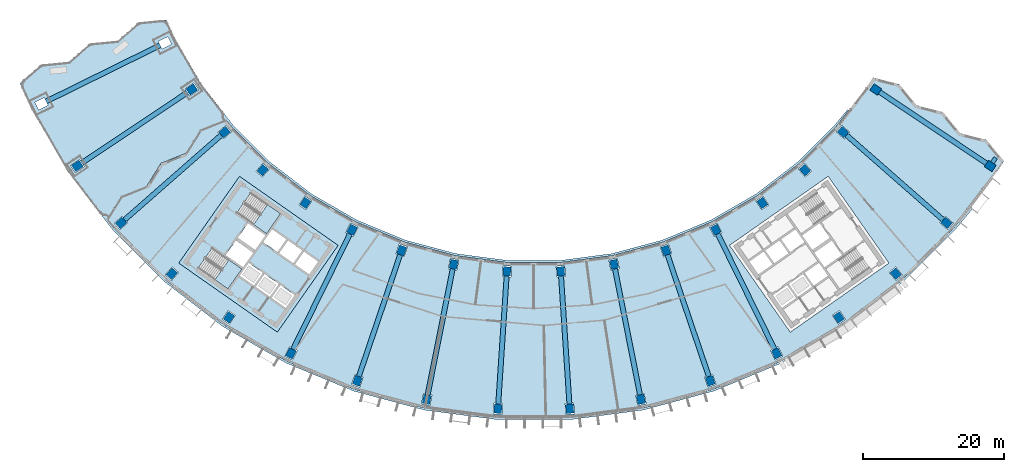
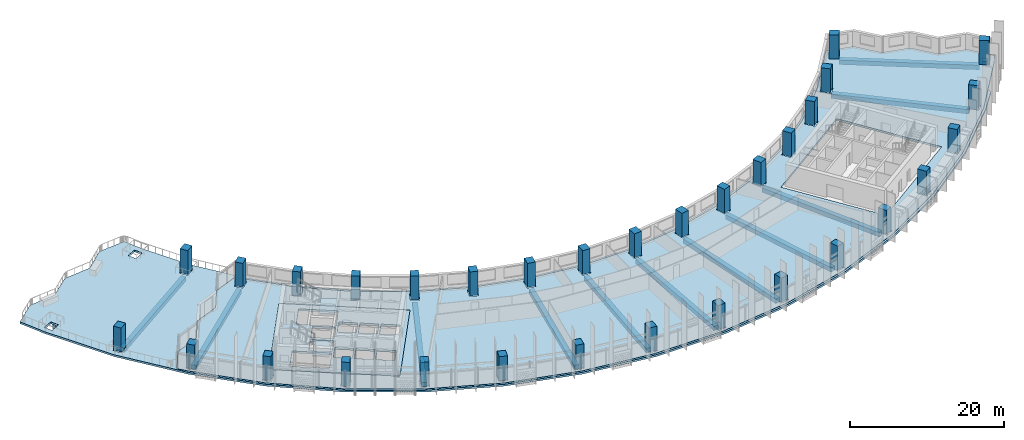
# One storey, part 1 of 31: 32 columns, 14 beams, 5 slabs, 2 elements without a shape of their own.
"""IFC4 building model written with IfcOpenShell, lengths in metres."""

from ifc_helpers import new_model, si_unit, direction, frame, origin, origin_2d, place, context, subcontext, project, spatial, polyline, rectangle, outline, extrude, material, layer, layer_set, material_profile, profile_set, type_object, element, aggregate, save


model = new_model("IFC4")

# Units and contexts
model_context = context("Model", 3, precision=1e-05, world=origin(), true_north=direction((0.0, 1.0)))
body_context = subcontext(model_context, "Body", "Model", "MODEL_VIEW")
ifc_project = project(units=[si_unit("LENGTHUNIT", "METRE"), si_unit("AREAUNIT", "SQUARE_METRE"), si_unit("VOLUMEUNIT", "CUBIC_METRE"), si_unit("PLANEANGLEUNIT", "RADIAN"), si_unit("MASSUNIT", "GRAM", prefix="KILO")], contexts=[model_context])

# Site, building, storey
site_placement = place(None, origin())
site = spatial("IfcSite", under=ifc_project, at=site_placement, CompositionType="ELEMENT")
building_placement = place(site_placement, origin())
building = spatial("IfcBuilding", under=site, at=building_placement, Name="Qamariyya Broadcast Tower", CompositionType="ELEMENT")
storey_placement = place(building_placement, frame((0.0, 0.0, 149.300048828125)))
storey = spatial("IfcBuildingStorey", under=building, at=storey_placement, Name="L34", CompositionType="ELEMENT", Elevation=149.300048828125)

# Columns
ifc_material_1 = material(Name="Concrete C60/75", Category="concrete")
ifc_material_profile_1 = material_profile(ifc_material_1, rectangle(XDim=1.10009765625, YDim=1.300048828125, at=origin_2d()))
ifc_profile_set_1 = profile_set([ifc_material_profile_1], Name="Concrete C60/75")
column_type_1 = type_object("IfcColumnType", Name="RC column 1100 x 1300 C60/75", PredefinedType="COLUMN", material=ifc_profile_set_1)
for number, where, z_axis, x_axis, name in (
    (1, (-43.794677734375, -38.406982421875, 0.0), (0.0, 0.0, 1.0), (0.6593458151, -0.751839807479, 0.0), "Column C8 L34 B-R04"),
    (2, (-58.45556640625, -51.26416015625, 0.0), (0.0, 0.0, 1.0), (0.6593458151, -0.751839807479, 0.0), "Column C8 L34 C-R04"),
    (3, (-38.406982421875, -43.794677734375, 0.0), (0.0, 0.0, 1.0), (0.751839807479, -0.6593458151, 0.0), "Column C8 L34 B-R05"),
    (4, (-51.26416015625, -58.45556640625, 0.0), (0.0, 0.0, 1.0), (0.751839807479, -0.6593458151, 0.0), "Column C8 L34 C-R05"),
    (5, (-32.362060546875, -48.43310546875, 0.0), (0.0, 0.0, 1.0), (0.831469612303, -0.55557023302, 0.0), "Column C8 L34 B-R06"),
    (6, (-43.195556640625, -64.646728515625, 0.0), (0.0, 0.0, 1.0), (0.831469612303, -0.55557023302, 0.0), "Column C8 L34 C-R06"),
    (7, (-25.763427734375, -52.242919921875, 0.0), (0.0, 0.0, 1.0), (0.896872741533, -0.442288690219, 0.0), "Column C8 L34 B-R07"),
    (8, (-34.387939453125, -69.73193359375, 0.0), (0.0, 0.0, 1.0), (0.896872741533, -0.442288690219, 0.0), "Column C8 L34 C-R07"),
    (9, (-18.723876953125, -55.15869140625, 0.0), (0.0, 0.0, 1.0), (0.946930129495, -0.321439465303, 0.0), "Column C8 L34 B-R08"),
    (10, (-24.991943359375, -73.623779296875, 0.0), (0.0, 0.0, 1.0), (0.946930129495, -0.321439465303, 0.0), "Column C8 L34 C-R08"),
    (11, (-11.364013671875, -57.130859375, 0.0), (0.0, 0.0, 1.0), (0.980785280403, -0.195090322016, 0.0), "Column C8 L34 B-R09"),
    (12, (-15.168212890625, -76.256103515625, 0.0), (0.0, 0.0, 1.0), (0.980785280403, -0.195090322016, 0.0), "Column C8 L34 C-R09"),
    (13, (-3.809814453125, -58.125244140625, 0.0), (0.0, 0.0, 1.0), (0.997858923239, -0.06540312923, 0.0), "Column C8 L34 B-R10"),
    (14, (-5.085205078125, -77.58349609375, 0.0), (0.0, 0.0, 1.0), (0.997858923239, -0.06540312923, 0.0), "Column C8 L34 C-R10"),
    (15, (3.809814453125, -58.125244140625, 0.0), (0.0, 0.0, 1.0), (0.997858923239, 0.06540312923, 0.0), "Column C8 L34 B-R11"),
    (16, (5.085205078125, -77.58349609375, 0.0), (0.0, 0.0, 1.0), (0.997858923239, 0.06540312923, 0.0), "Column C8 L34 C-R11"),
    (17, (11.364013671875, -57.130859375, 0.0), (0.0, 0.0, 1.0), (0.980785280403, 0.195090322016, 0.0), "Column C8 L34 B-R12"),
    (18, (15.168212890625, -76.256103515625, 0.0), (0.0, 0.0, 1.0), (0.980785280403, 0.195090322016, 0.0), "Column C8 L34 C-R12"),
    (19, (18.723876953125, -55.15869140625, 0.0), (0.0, 0.0, 1.0), (0.946930129495, 0.321439465303, 0.0), "Column C8 L34 B-R13"),
    (20, (24.991943359375, -73.623779296875, 0.0), (0.0, 0.0, 1.0), (0.946930129495, 0.321439465303, 0.0), "Column C8 L34 C-R13"),
    (21, (25.763427734375, -52.242919921875, 0.0), (0.0, 0.0, 1.0), (0.896872741533, 0.442288690219, 0.0), "Column C8 L34 B-R14"),
    (22, (34.387939453125, -69.73193359375, 0.0), (0.0, 0.0, 1.0), (0.896872741533, 0.442288690219, 0.0), "Column C8 L34 C-R14"),
    (23, (32.362060546875, -48.43310546875, 0.0), (0.0, 0.0, 1.0), (0.831469612303, 0.55557023302, 0.0), "Column C8 L34 B-R15"),
    (24, (43.195556640625, -64.646728515625, 0.0), (0.0, 0.0, 1.0), (0.831469612303, 0.55557023302, 0.0), "Column C8 L34 C-R15"),
    (25, (38.406982421875, -43.794677734375, 0.0), (0.0, 0.0, 1.0), (0.751839807479, 0.6593458151, 0.0), "Column C8 L34 B-R16"),
    (26, (51.26416015625, -58.45556640625, 0.0), (0.0, 0.0, 1.0), (0.751839807479, 0.6593458151, 0.0), "Column C8 L34 C-R16"),
    (27, (43.794677734375, -38.406982421875, 0.0), (0.0, 0.0, 1.0), (0.6593458151, 0.751839807479, 0.0), "Column C8 L34 B-R17"),
    (28, (58.45556640625, -51.26416015625, 0.0), (0.0, 0.0, 1.0), (0.6593458151, 0.751839807479, 0.0), "Column C8 L34 C-R17"),
    (29, (-48.43310546875, -32.362060546875, 0.0), (0.0, 0.0, 1.0), (0.55557023302, -0.831469612303, 0.0), "Column C8 L34 B-R03"),
    (30, (-64.646728515625, -43.195556640625, 0.0), (0.0, 0.0, 1.0), (0.55557023302, -0.831469612303, 0.0), "Column C8 L34 C-R03"),
):
    element("IfcColumn", number, at=place(storey_placement, frame(where, z_axis=z_axis, x_axis=x_axis)), inside=storey, type_object=column_type_1, Name=name, PredefinedType="COLUMN", context=body_context, shape_type="SweptSolid", body=[
        extrude(rectangle(XDim=1.10009765625, YDim=1.300048828125, at=origin_2d()), origin(), (0.0, 0.0, 1.0), 3.800048828125),
    ])
ifc_material_profile_2 = material_profile(ifc_material_1, rectangle(XDim=1.10009765625, YDim=1.300048828125, at=origin_2d()))
ifc_profile_set_2 = profile_set([ifc_material_profile_2], Name="Concrete C60/75")
column_type_2 = type_object("IfcColumnType", Name="RC column 1100 x 1300 C60/75 on transfer truss", PredefinedType="COLUMN", material=ifc_profile_set_2)
for number, where, z_axis, x_axis, name in (
    (31, (48.43310546875, -32.362060546875, -0.300048828125), (0.0, 0.0, 1.0), (0.55557023302, 0.831469612303, 0.0), "Column C9 L34 B-R18"),
    (32, (64.646728515625, -43.195556640625, -0.300048828125), (0.0, 0.0, 1.0), (0.55557023302, 0.831469612303, 0.0), "Column C9 L34 C-R18"),
):
    element("IfcColumn", number, at=place(storey_placement, frame(where, z_axis=z_axis, x_axis=x_axis)), inside=storey, type_object=column_type_2, Name=name, PredefinedType="COLUMN", context=body_context, shape_type="SweptSolid", body=[
        extrude(rectangle(XDim=1.10009765625, YDim=1.300048828125, at=origin_2d()), origin(), (0.0, 0.0, 1.0), 4.10009765625),
    ])

# Beams
ifc_material_2 = material(Name="Concrete C40/50", Category="concrete")
ifc_material_profile_3 = material_profile(ifc_material_2, rectangle(XDim=0.60009765625, YDim=0.699951171875, at=origin_2d()))
ifc_profile_set_3 = profile_set([ifc_material_profile_3], Name="Concrete C40/50")
beam_type_1 = type_object("IfcBeamType", Name="RC horn beam 600 x 700 C40/50", PredefinedType="BEAM", material=ifc_profile_set_3)
beam_1_placement = place(storey_placement, frame((64.947509765625, -42.735107421875, -0.650146484375), z_axis=(0.546717218066, 0.83731731349, 0.0), x_axis=(-0.83731731349, 0.546717218066, 0.0)))
element("IfcBeam", 33, at=beam_1_placement, inside=storey, type_object=beam_type_1, Name="Horn beam B19 L34 E C-R18", PredefinedType="BEAM", context=body_context, shape_type="SweptSolid", body=[
    extrude(rectangle(XDim=0.60009765625, YDim=0.699951171875, at=origin_2d()), origin(), (0.0, 0.0, 1.0), 0.828369140625),
])
ifc_material_profile_4 = material_profile(ifc_material_2, rectangle(XDim=0.699951171875, YDim=0.699951171875, at=origin_2d()))
ifc_profile_set_4 = profile_set([ifc_material_profile_4], Name="Concrete C40/50")
beam_type_2 = type_object("IfcBeamType", Name="RC radial beam 700 x 700 C40/50", PredefinedType="BEAM", material=ifc_profile_set_4)
beam_2_placement = place(storey_placement, frame((-52.91552734375, -26.094970703125, -0.650146484375), z_axis=(-0.896871386501, -0.442291437941, 0.0), x_axis=(0.442291437941, -0.896871386501, 0.0)))
element("IfcBeam", 34, at=beam_2_placement, inside=storey, type_object=beam_type_2, Name="Radial beam B18 L34 R02 B-C", PredefinedType="BEAM", context=body_context, shape_type="SweptSolid", body=[
    extrude(rectangle(XDim=0.699951171875, YDim=0.699951171875, at=origin_2d()), origin(), (0.0, 0.0, 1.0), 17.999755859375),
])
beam_3_placement = place(storey_placement, frame((-49.056640625, -32.778564453125, -0.650146484375), z_axis=(-0.831471836778, -0.555566903843, 0.0), x_axis=(0.555566903843, -0.831471836778, 0.0)))
element("IfcBeam", 35, at=beam_3_placement, inside=storey, type_object=beam_type_2, Name="Radial beam B18 L34 R03 B-C", PredefinedType="BEAM", context=body_context, shape_type="SweptSolid", body=[
    extrude(rectangle(XDim=0.699951171875, YDim=0.699951171875, at=origin_2d()), origin(), (0.0, 0.0, 1.0), 18.0),
])
beam_4_placement = place(storey_placement, frame((-44.283447265625, -38.83544921875, -0.650146484375), z_axis=(-0.751839141307, -0.659346574723, 0.0), x_axis=(0.659346574723, -0.751839141307, 0.0)))
element("IfcBeam", 36, at=beam_4_placement, inside=storey, type_object=beam_type_2, Name="Radial beam B18 L34 R04 B-C", PredefinedType="BEAM", context=body_context, shape_type="SweptSolid", body=[
    extrude(rectangle(XDim=0.699951171875, YDim=0.699951171875, at=origin_2d()), origin(), (0.0, 0.0, 1.0), 18.199951171875),
])
beam_5_placement = place(storey_placement, frame((-26.05078125, -52.82568359375, -0.650146484375), z_axis=(-0.44228110273, -0.896876483228, 0.0), x_axis=(0.896876483228, -0.44228110273, 0.0)))
element("IfcBeam", 37, at=beam_5_placement, inside=storey, type_object=beam_type_2, Name="Radial beam B18 L34 R07 B-C", PredefinedType="BEAM", context=body_context, shape_type="SweptSolid", body=[
    extrude(rectangle(XDim=0.699951171875, YDim=0.699951171875, at=origin_2d()), origin(), (0.0, 0.0, 1.0), 18.2001953125),
])
beam_6_placement = place(storey_placement, frame((-18.932861328125, -55.774169921875, -0.650146484375), z_axis=(-0.321434466477, -0.946931826353, 0.0), x_axis=(0.946931826353, -0.321434466477, 0.0)))
element("IfcBeam", 38, at=beam_6_placement, inside=storey, type_object=beam_type_2, Name="Radial beam B18 L34 R08 B-C", PredefinedType="BEAM", context=body_context, shape_type="SweptSolid", body=[
    extrude(rectangle(XDim=0.699951171875, YDim=0.699951171875, at=origin_2d()), origin(), (0.0, 0.0, 1.0), 18.199951171875),
])
beam_7_placement = place(storey_placement, frame((-11.49072265625, -57.768310546875, -0.650146484375), z_axis=(-0.195097061093, -0.980783939893, 0.0), x_axis=(0.980783939893, -0.195097061093, 0.0)))
element("IfcBeam", 39, at=beam_7_placement, inside=storey, type_object=beam_type_2, Name="Radial beam B18 L34 R09 B-C", PredefinedType="BEAM", context=body_context, shape_type="SweptSolid", body=[
    extrude(rectangle(XDim=0.699951171875, YDim=0.699951171875, at=origin_2d()), origin(), (0.0, 0.0, 1.0), 18.2001953125),
])
for number, where, z_axis, x_axis, name in (
    (40, (-3.852294921875, -58.77392578125, -0.650146484375), (-0.065395361188, -0.997859432353, 0.0), (0.997859432353, -0.065395361188, 0.0), "Radial beam B18 L34 R10 B-C"),
    (41, (3.852294921875, -58.77392578125, -0.650146484375), (0.065395361188, -0.997859432353, 0.0), (0.997859432353, 0.065395361188, 0.0), "Radial beam B18 L34 R11 B-C"),
):
    element("IfcBeam", number, at=place(storey_placement, frame(where, z_axis=z_axis, x_axis=x_axis)), inside=storey, type_object=beam_type_2, Name=name, PredefinedType="BEAM", context=body_context, shape_type="SweptSolid", body=[
        extrude(rectangle(XDim=0.699951171875, YDim=0.699951171875, at=origin_2d()), origin(), (0.0, 0.0, 1.0), 18.199951171875),
    ])
beam_8_placement = place(storey_placement, frame((11.49072265625, -57.768310546875, -0.650146484375), z_axis=(0.195097061093, -0.980783939893, 0.0), x_axis=(0.980783939893, 0.195097061093, 0.0)))
element("IfcBeam", 42, at=beam_8_placement, inside=storey, type_object=beam_type_2, Name="Radial beam B18 L34 R12 B-C", PredefinedType="BEAM", context=body_context, shape_type="SweptSolid", body=[
    extrude(rectangle(XDim=0.699951171875, YDim=0.699951171875, at=origin_2d()), origin(), (0.0, 0.0, 1.0), 18.2001953125),
])
beam_9_placement = place(storey_placement, frame((18.932861328125, -55.774169921875, -0.650146484375), z_axis=(0.321434466477, -0.946931826353, 0.0), x_axis=(0.946931826353, 0.321434466477, 0.0)))
element("IfcBeam", 43, at=beam_9_placement, inside=storey, type_object=beam_type_2, Name="Radial beam B18 L34 R13 B-C", PredefinedType="BEAM", context=body_context, shape_type="SweptSolid", body=[
    extrude(rectangle(XDim=0.699951171875, YDim=0.699951171875, at=origin_2d()), origin(), (0.0, 0.0, 1.0), 18.199951171875),
])
beam_10_placement = place(storey_placement, frame((26.05078125, -52.82568359375, -0.650146484375), z_axis=(0.44228110273, -0.896876483228, 0.0), x_axis=(0.896876483228, 0.44228110273, 0.0)))
element("IfcBeam", 44, at=beam_10_placement, inside=storey, type_object=beam_type_2, Name="Radial beam B18 L34 R14 B-C", PredefinedType="BEAM", context=body_context, shape_type="SweptSolid", body=[
    extrude(rectangle(XDim=0.699951171875, YDim=0.699951171875, at=origin_2d()), origin(), (0.0, 0.0, 1.0), 18.2001953125),
])
beam_11_placement = place(storey_placement, frame((44.283447265625, -38.83544921875, -0.650146484375), z_axis=(0.751839141307, -0.659346574723, 0.0), x_axis=(0.659346574723, 0.751839141307, 0.0)))
element("IfcBeam", 45, at=beam_11_placement, inside=storey, type_object=beam_type_2, Name="Radial beam B18 L34 R17 B-C", PredefinedType="BEAM", context=body_context, shape_type="SweptSolid", body=[
    extrude(rectangle(XDim=0.699951171875, YDim=0.699951171875, at=origin_2d()), origin(), (0.0, 0.0, 1.0), 18.199951171875),
])
beam_12_placement = place(storey_placement, frame((48.9736328125, -32.72314453125, -0.650146484375), z_axis=(0.831467855631, -0.555572862056, 0.0), x_axis=(0.555572862056, 0.831467855631, 0.0)))
element("IfcBeam", 46, at=beam_12_placement, inside=storey, type_object=beam_type_2, Name="Radial beam B18 L34 R18 B-C", PredefinedType="BEAM", context=body_context, shape_type="SweptSolid", body=[
    extrude(rectangle(XDim=0.699951171875, YDim=0.699951171875, at=origin_2d()), origin(), (0.0, 0.0, 1.0), 18.19970703125),
])

# Slabs
ifc_layer_1 = layer(ifc_material_2, 0.300048828125)
ifc_layer_set_1 = layer_set([ifc_layer_1], Name="Core floor slab 300 mm Concrete C40/50")
slab_type_1 = type_object("IfcSlabType", Name="Core floor slab 300 mm Concrete C40/50", PredefinedType="FLOOR", material=ifc_layer_set_1)
slab_1_placement = place(storey_placement, frame((0.0, 0.0, -0.300048828125)))
element("IfcSlab", 47, at=slab_1_placement, inside=storey, type_object=slab_type_1, Name="k-W-L34-slab", PredefinedType="FLOOR", context=body_context, shape_type="SweptSolid", body=[
    extrude(outline(polyline([(-50.286376953125, -56.95751953125), (-36.32373046875, -66.734375), (-27.719970703125, -54.447021484375), (-41.6826171875, -44.67041015625), (-50.286376953125, -56.95751953125)]), holes=[polyline([(-31.80859375, -58.542724609375), (-33.8154296875, -57.137451171875), (-32.5537109375, -55.335205078125), (-30.546630859375, -56.740478515625), (-31.80859375, -58.542724609375)]), polyline([(-34.061279296875, -56.96533203125), (-36.068115234375, -55.56005859375), (-34.806396484375, -53.758056640625), (-32.79931640625, -55.163330078125), (-34.061279296875, -56.96533203125)]), polyline([(-36.31396484375, -55.387939453125), (-38.32080078125, -53.982666015625), (-37.058837890625, -52.1806640625), (-35.052001953125, -53.5859375), (-36.31396484375, -55.387939453125)]), polyline([(-33.87353515625, -61.49169921875), (-35.88037109375, -60.08642578125), (-37.142333984375, -61.888427734375), (-35.13525390625, -63.293701171875), (-33.87353515625, -61.49169921875)]), polyline([(-36.126220703125, -59.914306640625), (-38.133056640625, -58.509033203125), (-39.394775390625, -60.311279296875), (-37.387939453125, -61.716552734375), (-36.126220703125, -59.914306640625)]), polyline([(-38.378662109375, -58.3369140625), (-40.3857421875, -56.931640625), (-41.6474609375, -58.73388671875), (-39.640625, -60.13916015625), (-38.378662109375, -58.3369140625)]), polyline([(-39.742431640625, -55.489990234375), (-42.199951171875, -53.769287109375), (-43.6337890625, -55.817138671875), (-41.17626953125, -57.537841796875), (-39.742431640625, -55.489990234375)]), polyline([(-39.45556640625, -55.080322265625), (-41.9130859375, -53.359619140625), (-40.47900390625, -51.311767578125), (-38.021728515625, -53.032470703125), (-39.45556640625, -55.080322265625)]), polyline([(-42.06103515625, -49.837890625), (-37.849609375, -52.78662109375), (-35.870849609375, -49.960693359375), (-40.082275390625, -47.01171875), (-42.06103515625, -49.837890625)]), polyline([(-47.538818359375, -57.66064453125), (-43.3271484375, -60.609619140625), (-41.348388671875, -57.783447265625), (-45.559814453125, -54.834716796875), (-47.538818359375, -57.66064453125)])]), origin(), (0.0, 0.0, 1.0), 0.300048828125),
])
ifc_layer_2 = layer(ifc_material_2, 0.300048828125)
ifc_layer_set_2 = layer_set([ifc_layer_2], Name="Post-tensioned floor slab 300 C40/50")
slab_type_2 = type_object("IfcSlabType", Name="Post-tensioned floor slab 300 C40/50", PredefinedType="FLOOR", material=ifc_layer_set_2)
slab_2_placement = place(storey_placement, frame((0.0, 0.0, -0.300048828125)))
element("IfcSlab", 48, at=slab_2_placement, inside=storey, type_object=slab_type_2, Name="Floor slab S4 L34", PredefinedType="FLOOR", context=body_context, shape_type="SweptSolid", body=[
    extrude(outline(polyline([(-58.43115234375, -47.549072265625), (-60.47314453125, -50.8330078125), (-59.395263671875, -52.08837890625), (-52.08837890625, -59.395263671875), (-43.89013671875, -65.68603515625), (-34.94091796875, -70.85302734375), (-25.393798828125, -74.807373046875), (-15.412109375, -77.48193359375), (-5.166748046875, -78.830810546875), (5.166748046875, -78.830810546875), (15.412109375, -77.48193359375), (25.393798828125, -74.807373046875), (34.94091796875, -70.85302734375), (43.89013671875, -65.68603515625), (52.08837890625, -59.395263671875), (59.395263671875, -52.08837890625), (65.68603515625, -43.89013671875), (66.5908203125, -42.5048828125), (64.1376953125, -39.515380859375), (60.409423828125, -38.55908203125), (57.955322265625, -35.5693359375), (54.22802734375, -34.613525390625), (51.77294921875, -31.623046875), (48.046630859375, -30.66796875), (47.393798828125, -31.66748046875), (42.85498046875, -37.582763671875), (37.582763671875, -42.85498046875), (31.66748046875, -47.393798828125), (25.21044921875, -51.121826171875), (18.322021484375, -53.97509765625), (11.1201171875, -55.90478515625), (3.72802734375, -56.8779296875), (-3.72802734375, -56.8779296875), (-11.1201171875, -55.90478515625), (-18.322021484375, -53.97509765625), (-25.21044921875, -51.121826171875), (-31.66748046875, -47.393798828125), (-37.582763671875, -42.85498046875), (-42.85498046875, -37.582763671875), (-43.632568359375, -36.677001953125), (-47.202392578125, -38.110107421875), (-49.24609375, -41.395751953125), (-52.81689453125, -42.82958984375), (-54.859619140625, -46.1142578125), (-58.43115234375, -47.549072265625)]), holes=[polyline([(-5.73291015625, -78.292724609375), (-5.634765625, -76.7958984375), (-4.437255859375, -76.874267578125), (-4.535400390625, -78.37109375), (-5.73291015625, -78.292724609375)]), polyline([(-15.903076171875, -76.87451171875), (-15.6103515625, -75.4033203125), (-14.43359375, -75.637451171875), (-14.72607421875, -77.108642578125), (-15.903076171875, -76.87451171875)]), polyline([(-25.80126953125, -74.14111328125), (-25.319091796875, -72.720703125), (-24.1826171875, -73.1064453125), (-24.664794921875, -74.52685546875), (-25.80126953125, -74.14111328125)]), polyline([(-35.2578125, -70.13916015625), (-34.59423828125, -68.7939453125), (-33.51806640625, -69.324462890625), (-34.181640625, -70.669921875), (-35.2578125, -70.13916015625)]), polyline([(-44.111083984375, -64.93701171875), (-43.27783203125, -63.689697265625), (-42.280029296875, -64.3564453125), (-43.11328125, -65.603759765625), (-44.111083984375, -64.93701171875)]), polyline([(-52.209716796875, -58.623779296875), (-51.220703125, -57.49609375), (-50.318603515625, -58.287353515625), (-51.3076171875, -59.4150390625), (-52.209716796875, -58.623779296875)]), polyline([(-12.098876953125, -57.749267578125), (-11.80615234375, -56.278076171875), (-10.629150390625, -56.51220703125), (-10.921875, -57.9833984375), (-12.098876953125, -57.749267578125)]), polyline([(-41.6826171875, -44.67041015625), (-27.719970703125, -54.447021484375), (-36.32373046875, -66.734375), (-50.286376953125, -56.95751953125), (-41.6826171875, -44.67041015625)]), polyline([(-19.051025390625, -54.255615234375), (-17.91455078125, -54.641357421875), (-18.396728515625, -56.061767578125), (-19.533203125, -55.676025390625), (-19.051025390625, -54.255615234375)]), polyline([(-26.633056640625, -52.650146484375), (-25.9697265625, -51.3046875), (-24.8935546875, -51.83544921875), (-25.556884765625, -53.180908203125), (-26.633056640625, -52.650146484375)]), polyline([(-59.4150390625, -51.3076171875), (-58.287353515625, -50.318603515625), (-57.49609375, -51.220703125), (-58.623779296875, -52.209716796875), (-59.4150390625, -51.3076171875)]), polyline([(-33.277587890625, -48.723388671875), (-32.444091796875, -47.47607421875), (-31.4462890625, -48.142822265625), (-32.27978515625, -49.39013671875), (-33.277587890625, -48.723388671875)]), polyline([(-39.3525390625, -43.962890625), (-38.363525390625, -42.835205078125), (-37.461181640625, -43.62646484375), (-38.4501953125, -44.754150390625), (-39.3525390625, -43.962890625)]), polyline([(-44.754150390625, -38.4501953125), (-43.62646484375, -37.461181640625), (-42.835205078125, -38.363525390625), (-43.962890625, -39.3525390625), (-44.754150390625, -38.4501953125)]), polyline([(4.535400390625, -78.37109375), (4.437255859375, -76.874267578125), (5.634765625, -76.7958984375), (5.73291015625, -78.292724609375), (4.535400390625, -78.37109375)]), polyline([(14.72607421875, -77.108642578125), (14.43359375, -75.637451171875), (15.6103515625, -75.4033203125), (15.903076171875, -76.87451171875), (14.72607421875, -77.108642578125)]), polyline([(24.664794921875, -74.52685546875), (24.1826171875, -73.1064453125), (25.319091796875, -72.720703125), (25.80126953125, -74.14111328125), (24.664794921875, -74.52685546875)]), polyline([(34.181640625, -70.669921875), (33.51806640625, -69.324462890625), (34.59423828125, -68.7939453125), (35.2578125, -70.13916015625), (34.181640625, -70.669921875)]), polyline([(43.11328125, -65.603759765625), (42.280029296875, -64.3564453125), (43.27783203125, -63.689697265625), (44.111083984375, -64.93701171875), (43.11328125, -65.603759765625)]), polyline([(51.3076171875, -59.4150390625), (50.318603515625, -58.287353515625), (51.220703125, -57.49609375), (52.209716796875, -58.623779296875), (51.3076171875, -59.4150390625)]), polyline([(3.260009765625, -58.912841796875), (3.161865234375, -57.416015625), (4.359375, -57.337646484375), (4.45751953125, -58.83447265625), (3.260009765625, -58.912841796875)]), polyline([(-4.359375, -57.337646484375), (-3.161865234375, -57.416015625), (-3.260009765625, -58.912841796875), (-4.45751953125, -58.83447265625), (-4.359375, -57.337646484375)]), polyline([(10.629150390625, -56.51220703125), (11.80615234375, -56.278076171875), (12.098876953125, -57.749267578125), (10.921875, -57.9833984375), (10.629150390625, -56.51220703125)]), polyline([(36.32373046875, -66.734375), (27.719970703125, -54.447021484375), (41.6826171875, -44.67041015625), (50.286376953125, -56.95751953125), (36.32373046875, -66.734375)]), polyline([(18.396728515625, -56.061767578125), (17.91455078125, -54.641357421875), (19.051025390625, -54.255615234375), (19.533203125, -55.676025390625), (18.396728515625, -56.061767578125)]), polyline([(25.556884765625, -53.180908203125), (24.8935546875, -51.83544921875), (25.9697265625, -51.3046875), (26.633056640625, -52.650146484375), (25.556884765625, -53.180908203125)]), polyline([(58.623779296875, -52.209716796875), (57.49609375, -51.220703125), (58.287353515625, -50.318603515625), (59.4150390625, -51.3076171875), (58.623779296875, -52.209716796875)]), polyline([(32.27978515625, -49.39013671875), (31.4462890625, -48.142822265625), (32.444091796875, -47.47607421875), (33.277587890625, -48.723388671875), (32.27978515625, -49.39013671875)]), polyline([(38.4501953125, -44.754150390625), (37.461181640625, -43.62646484375), (38.363525390625, -42.835205078125), (39.3525390625, -43.962890625), (38.4501953125, -44.754150390625)]), polyline([(64.881591796875, -44.013916015625), (63.80078125, -43.291748046875), (64.411865234375, -42.377197265625), (65.49267578125, -43.099365234375), (64.881591796875, -44.013916015625)]), polyline([(42.835205078125, -38.363525390625), (43.62646484375, -37.461181640625), (44.754150390625, -38.4501953125), (43.962890625, -39.3525390625), (42.835205078125, -38.363525390625)]), polyline([(47.587158203125, -32.458251953125), (48.1982421875, -31.54345703125), (49.279052734375, -32.265869140625), (48.66796875, -33.180419921875), (47.587158203125, -32.458251953125)])]), origin(), (0.0, 0.0, 1.0), 0.300048828125),
])
ifc_layer_3 = layer(ifc_material_2, 0.300048828125)
ifc_layer_set_3 = layer_set([ifc_layer_3], Name="Roof slab 300 C40/50")
slab_type_3 = type_object("IfcSlabType", Name="Roof slab 300 C40/50", PredefinedType="ROOF", material=ifc_layer_set_3)
slab_3_placement = place(storey_placement, frame((0.0, 0.0, -0.300048828125)))
element("IfcSlab", 49, at=slab_3_placement, inside=storey, type_object=slab_type_3, Name="Terrace slab S6 L34", PredefinedType="ROOF", context=body_context, shape_type="SweptSolid", body=[
    extrude(outline(polyline([(52.2861328125, -59.620849609375), (59.620849609375, -52.2861328125), (62.140869140625, -49.2646484375), (61.870361328125, -48.86279296875), (59.395263671875, -52.08837890625), (52.08837890625, -59.395263671875), (43.89013671875, -65.68603515625), (34.94091796875, -70.85302734375), (25.393798828125, -74.807373046875), (15.412109375, -77.48193359375), (5.166748046875, -78.830810546875), (-5.166748046875, -78.830810546875), (-15.412109375, -77.48193359375), (-25.393798828125, -74.807373046875), (-34.94091796875, -70.85302734375), (-43.89013671875, -65.68603515625), (-52.08837890625, -59.395263671875), (-59.395263671875, -52.08837890625), (-60.47314453125, -50.8330078125), (-58.43115234375, -47.549072265625), (-54.859619140625, -46.1142578125), (-52.81689453125, -42.82958984375), (-49.24609375, -41.395751953125), (-47.202392578125, -38.110107421875), (-43.632568359375, -36.677001953125), (-42.85498046875, -37.582763671875), (-37.582763671875, -42.85498046875), (-31.66748046875, -47.393798828125), (-25.21044921875, -51.121826171875), (-18.322021484375, -53.97509765625), (-11.1201171875, -55.90478515625), (-3.72802734375, -56.8779296875), (3.72802734375, -56.8779296875), (11.1201171875, -55.90478515625), (18.322021484375, -53.97509765625), (25.21044921875, -51.121826171875), (31.66748046875, -47.393798828125), (37.582763671875, -42.85498046875), (42.85498046875, -37.582763671875), (44.612060546875, -35.292724609375), (44.43115234375, -35.224365234375), (42.62939453125, -37.385009765625), (37.385009765625, -42.62939453125), (31.500732421875, -47.144287109375), (25.077880859375, -50.852783203125), (18.2255859375, -53.69091796875), (11.0615234375, -55.610595703125), (3.708251953125, -56.57861328125), (-3.708251953125, -56.57861328125), (-11.0615234375, -55.610595703125), (-18.2255859375, -53.69091796875), (-25.077880859375, -50.852783203125), (-31.500732421875, -47.144287109375), (-37.385009765625, -42.62939453125), (-42.62939453125, -37.385009765625), (-47.144287109375, -31.500732421875), (-50.852783203125, -25.077880859375), (-52.033935546875, -22.524658203125), (-55.956298828125, -22.9150390625), (-58.947265625, -25.517333984375), (-62.87109375, -25.908203125), (-65.86083984375, -28.510009765625), (-69.785400390625, -28.9013671875), (-72.774169921875, -31.502685546875), (-71.1220703125, -35.073486328125), (-65.935546875, -44.056640625), (-59.620849609375, -52.2861328125), (-52.2861328125, -59.620849609375), (-44.056640625, -65.935546875), (-35.073486328125, -71.1220703125), (-25.490234375, -75.091552734375), (-15.470703125, -77.7763671875), (-5.1865234375, -79.130126953125), (5.1865234375, -79.130126953125), (15.470703125, -77.7763671875), (25.490234375, -75.091552734375), (35.073486328125, -71.1220703125), (44.056640625, -65.935546875), (52.2861328125, -59.620849609375)]), holes=[polyline([(-65.603759765625, -43.11328125), (-64.3564453125, -42.280029296875), (-63.689697265625, -43.27783203125), (-64.93701171875, -44.111083984375), (-65.603759765625, -43.11328125)]), polyline([(-70.669921875, -34.181640625), (-69.324462890625, -33.51806640625), (-68.7939453125, -34.59423828125), (-70.13916015625, -35.2578125), (-70.669921875, -34.181640625)]), polyline([(-49.39013671875, -32.27978515625), (-48.142822265625, -31.4462890625), (-47.47607421875, -32.444091796875), (-48.723388671875, -33.277587890625), (-49.39013671875, -32.27978515625)]), polyline([(-53.180908203125, -25.556884765625), (-51.83544921875, -24.8935546875), (-51.3046875, -25.9697265625), (-52.650146484375, -26.633056640625), (-53.180908203125, -25.556884765625)])]), origin(), (0.0, 0.0, 1.0), 0.300048828125),
])

# Stair, slab
ifc_material_3 = material(Name="Concrete C50/60", Category="concrete")
stair_type = type_object("IfcStairType", Name="Exit stair 22 risers of 173 mm", PredefinedType="HALF_TURN_STAIR", material=ifc_material_3)
stair_1_placement = place(storey_placement, origin())
stair_1 = element("IfcStair", 50, at=stair_1_placement, inside=storey, type_object=stair_type, Name="L34 Stair W2", PredefinedType="HALF_TURN_STAIR")
ifc_layer_4 = layer(ifc_material_3, 0.199951171875)
ifc_layer_set_4 = layer_set([ifc_layer_4], Name="Stair landing")
slab_type_4 = type_object("IfcSlabType", Name="Stair landing", PredefinedType="LANDING", material=ifc_layer_set_4)
slab_4_placement = place(storey_placement, frame((0.0, 0.0, 1.699951171875)))
slab_4 = element("IfcSlab", 51, at=slab_4_placement, type_object=slab_type_4, Name="ST-W2 landing 1", PredefinedType="LANDING", context=body_context, shape_type="SweptSolid", body=[
    extrude(outline(polyline([(-39.692138671875, -51.49658203125), (-37.849609375, -52.78662109375), (-35.870849609375, -49.960693359375), (-37.71337890625, -48.67041015625), (-39.692138671875, -51.49658203125)])), origin(), (0.0, 0.0, 1.0), 0.199951171875),
])
aggregate(stair_1, [slab_4])

stair_2_placement = place(storey_placement, origin())
stair_2 = element("IfcStair", 52, at=stair_2_placement, inside=storey, type_object=stair_type, Name="L34 Stair W1", PredefinedType="HALF_TURN_STAIR")
slab_5_placement = place(storey_placement, frame((0.0, 0.0, 1.699951171875)))
slab_5 = element("IfcSlab", 53, at=slab_5_placement, type_object=slab_type_4, Name="ST-W1 landing 1", PredefinedType="LANDING", context=body_context, shape_type="SweptSolid", body=[
    extrude(outline(polyline([(-45.169677734375, -59.319580078125), (-43.3271484375, -60.609619140625), (-41.348388671875, -57.783447265625), (-43.19091796875, -56.493408203125), (-45.169677734375, -59.319580078125)])), origin(), (0.0, 0.0, 1.0), 0.199951171875),
])
aggregate(stair_2, [slab_5])

save(model, "model.ifc")
